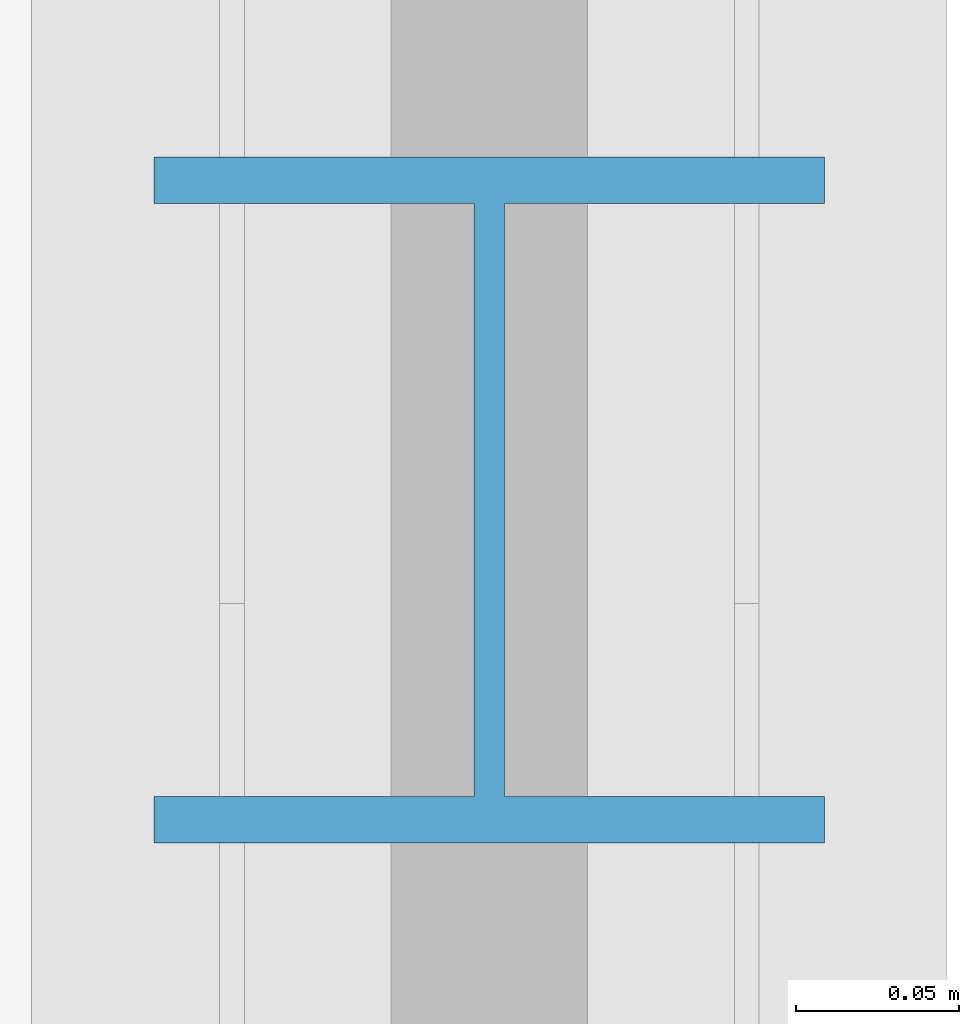
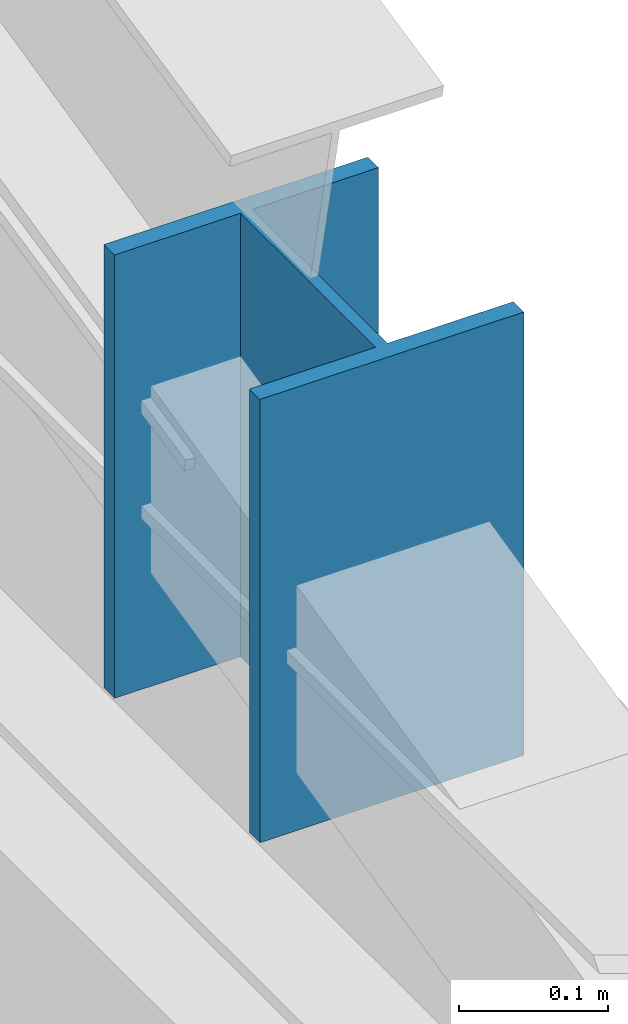
# One storey, part 48 of 92: 1 member.
"""IFC4 building model written with IfcOpenShell, lengths in metres."""

from ifc_helpers import new_model, si_unit, direction, frame, origin, origin_2d, place, context, subcontext, project, spatial, i_section, extrude, material, material_profile, profile_set, type_object, element, save


model = new_model("IFC4")

# Units and contexts
model_context = context("Model", 3, precision=1e-05, world=origin(), true_north=direction((0.0, 1.0)))
body_context = subcontext(model_context, "Body", "Model", "MODEL_VIEW")
ifc_project = project(units=[si_unit("LENGTHUNIT", "METRE"), si_unit("AREAUNIT", "SQUARE_METRE"), si_unit("VOLUMEUNIT", "CUBIC_METRE"), si_unit("PLANEANGLEUNIT", "RADIAN"), si_unit("MASSUNIT", "GRAM", prefix="KILO")], contexts=[model_context])

# Site, building, storey
site_placement = place(None, origin())
site = spatial("IfcSite", under=ifc_project, at=site_placement, CompositionType="ELEMENT")
building_placement = place(site_placement, origin())
building = spatial("IfcBuilding", under=site, at=building_placement, Name="Solanera Park Tramway Depot", CompositionType="ELEMENT")
storey_placement = place(building_placement, frame((0.0, 0.0, 4.800048828125)))
storey = spatial("IfcBuildingStorey", under=building, at=storey_placement, Name="L01", CompositionType="ELEMENT", Elevation=4.800048828125)

# Member
ifc_material = material(Name="Steel AS/NZS 3679.1 Grade 350", Category="steel")
ifc_material_profile = material_profile(ifc_material, i_section(OverallWidth=0.205078125, OverallDepth=0.209716796875, WebThickness=0.00927734375, FlangeThickness=0.01416015625, at=origin_2d()), Name="200UC59.5")
ifc_profile_set = profile_set([ifc_material_profile], Name="Steel AS/NZS 3679.1 Grade 350")
member_type = type_object("IfcMemberType", Name="Roof Gantry Compression Strut 200UC59.5", PredefinedType="STRUT", material=ifc_profile_set)
member_placement = place(storey_placement, frame((216.0, 118.39990234375, 3.64794921875), z_axis=(0.0, 0.0, 1.0), x_axis=(1.0, 0.0, 0.0)))
element("IfcMember", 1, at=member_placement, inside=storey, type_object=member_type, Name="Hip ROOF TRUSS Heel Post #0122", PredefinedType="STRUT", context=body_context, shape_type="SweptSolid", body=[
    extrude(i_section(OverallWidth=0.205078125, OverallDepth=0.209716796875, WebThickness=0.00927734375, FlangeThickness=0.01416015625, at=origin_2d()), origin(), (0.0, 0.0, 1.0), 0.364013671875),
])

save(model, "model.ifc")
